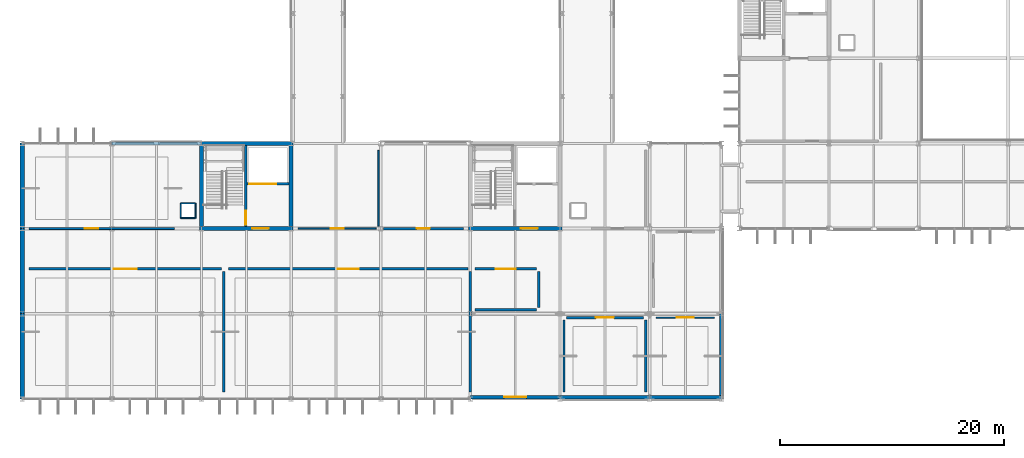
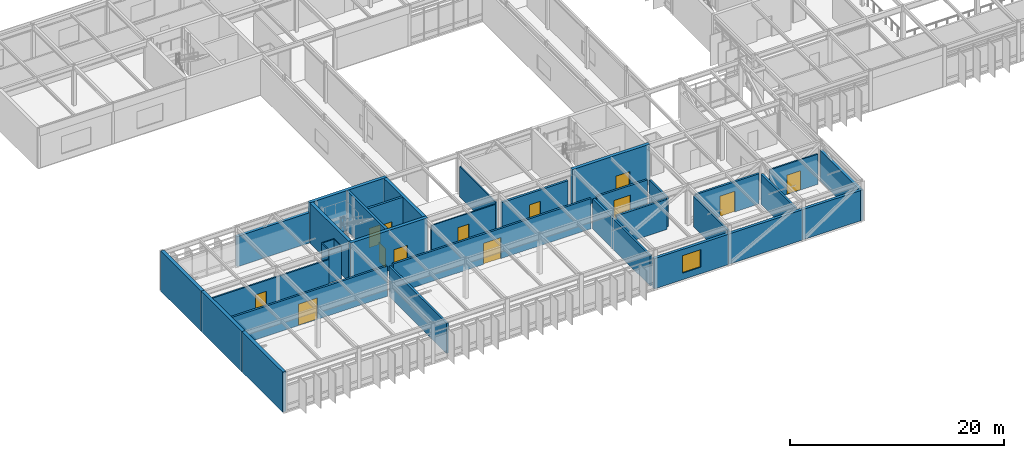
# One storey, part 80 of 104: 34 walls, 13 doors, 1 window, 14 openings.
"""IFC4 building model written with IfcOpenShell, lengths in metres."""

from ifc_helpers import new_model, si_unit, direction, frame, frame_2d, origin, place, context, subcontext, project, spatial, rectangle, extrude, material, layer, layer_set, type_object, element, fill, save


model = new_model("IFC4")

# Units and contexts
model_context = context("Model", 3, precision=1e-05, world=origin(), true_north=direction((0.0, 1.0)))
body_context = subcontext(model_context, "Body", "Model", "MODEL_VIEW")
ifc_project = project(units=[si_unit("LENGTHUNIT", "METRE"), si_unit("AREAUNIT", "SQUARE_METRE"), si_unit("VOLUMEUNIT", "CUBIC_METRE"), si_unit("PLANEANGLEUNIT", "RADIAN"), si_unit("MASSUNIT", "GRAM", prefix="KILO")], contexts=[model_context])

# Site, building, storey
site_placement = place(None, origin())
site = spatial("IfcSite", under=ifc_project, at=site_placement, CompositionType="ELEMENT")
building_placement = place(site_placement, origin())
building = spatial("IfcBuilding", under=site, at=building_placement, Name="Zulena Civic Courthouse", CompositionType="ELEMENT")
storey_placement = place(building_placement, frame((0.0, 0.0, 15.60009765625)))
storey = spatial("IfcBuildingStorey", under=building, at=storey_placement, Name="L03", CompositionType="ELEMENT", Elevation=15.60009765625)

# Wall, opening, door
ifc_material_1 = material(Name="Concrete C40/50", Category="concrete")
ifc_layer_1 = layer(ifc_material_1, 0.25)
ifc_layer_set_1 = layer_set([ifc_layer_1], Name="Concrete C40/50")
wall_type_1 = type_object("IfcWallType", Name="CoreShearWall_RC250", PredefinedType="SHEAR", material=ifc_layer_set_1)
wall_1_placement = place(storey_placement, frame((23.949951171875, 15.375, 0.0), z_axis=(0.0, 0.0, 1.0), x_axis=(0.0, 1.0, 0.0)))
wall_1 = element("IfcWall", 1, at=wall_1_placement, inside=storey, type_object=wall_type_1, Name="cwall:K2A:L03:DIV", PredefinedType="SHEAR", context=body_context, shape_type="SweptSolid", body=[
    extrude(rectangle(XDim=7.25, YDim=0.25, at=frame_2d((3.625, 0.0))), origin(), (0.0, 0.0, 1.0), 4.58984375),
])
opening_1_placement = place(wall_1_placement, frame((0.179931640625, 0.0, 0.0)))
opening_1 = element("IfcOpeningElement", 2, at=opening_1_placement, cuts=wall_1, Name="Opening ID06", PredefinedType="OPENING", context=body_context, shape_type="SweptSolid", body=[
    extrude(rectangle(XDim=1.25, YDim=2.199951171875, at=frame_2d((0.625, 1.10009765625))), frame((0.0, 0.135009765625, 0.0), z_axis=(0.0, -1.0, 0.0), x_axis=(1.0, 0.0, 0.0)), (0.0, 0.0, 1.0), 0.27001953125),
])
ifc_material_2 = material(Name="Fire-rated galvanised steel ASTM A653 Grade 50", Category="steel")
door_type_1 = type_object("IfcDoorType", Name="IntDoor_Stair_1250x2200", OperationType="NOTDEFINED", PredefinedType="DOOR", material=ifc_material_2)
door_1_placement = place(opening_1_placement, origin())
door_1 = element("IfcDoor", 3, at=door_1_placement, inside=storey, type_object=door_type_1, Name="door:stair:K2A:L03", OperationType="SINGLE_SWING_RIGHT", OverallHeight=2.199951171875, OverallWidth=1.25, PredefinedType="DOOR", context=body_context, shape_type="SweptSolid", body=[
    extrude(rectangle(XDim=1.25, YDim=2.199951171875, at=frame_2d((0.625, 1.10009765625))), frame((0.0, 0.02490234375, 0.0), z_axis=(0.0, -1.0, 0.0), x_axis=(1.0, 0.0, 0.0)), (0.0, 0.0, 1.0), 0.050048828125),
])
fill(opening_1, door_1)

# Wall, openings, doors
wall_2_placement = place(storey_placement, frame((24.074951171875, 19.199951171875, 0.0), z_axis=(0.0, 0.0, 1.0), x_axis=(1.0, 0.0, 0.0)))
wall_2 = element("IfcWall", 4, at=wall_2_placement, inside=storey, type_object=wall_type_1, Name="cwall:K2A:L03:SHF", PredefinedType="SHEAR", context=body_context, shape_type="SweptSolid", body=[
    extrude(rectangle(XDim=3.75, YDim=0.25, at=frame_2d((1.875, 0.0))), origin(), (0.0, 0.0, 1.0), 4.58984375),
])
opening_2_placement = place(wall_2_placement, frame((0.179931640625, 0.0, 0.0)))
opening_2 = element("IfcOpeningElement", 5, at=opening_2_placement, cuts=wall_2, Name="Opening LD01", PredefinedType="OPENING", context=body_context, shape_type="SweptSolid", body=[
    extrude(rectangle(XDim=1.199951171875, YDim=2.199951171875, at=frame_2d((0.60009765625, 1.10009765625))), frame((0.0, 0.135009765625, 0.0), z_axis=(0.0, -1.0, 0.0), x_axis=(1.0, 0.0, 0.0)), (0.0, 0.0, 1.0), 0.27001953125),
])
opening_3_placement = place(wall_2_placement, frame((1.550048828125, 0.0, 0.0)))
opening_3 = element("IfcOpeningElement", 6, at=opening_3_placement, cuts=wall_2, Name="Opening LD03", PredefinedType="OPENING", context=body_context, shape_type="SweptSolid", body=[
    extrude(rectangle(XDim=1.050048828125, YDim=2.199951171875, at=frame_2d((0.52490234375, 1.10009765625))), frame((0.0, 0.135009765625, 0.0), z_axis=(0.0, -1.0, 0.0), x_axis=(1.0, 0.0, 0.0)), (0.0, 0.0, 1.0), 0.27001953125),
])
door_type_2 = type_object("IfcDoorType", Name="LiftLandingDoor_FF_1200x2200", OperationType="SLIDING_TO_LEFT", PredefinedType="DOOR", material=ifc_material_2)
door_2_placement = place(opening_2_placement, origin())
door_2 = element("IfcDoor", 7, at=door_2_placement, inside=storey, type_object=door_type_2, Name="door:ld:FL-01:L03", OperationType="SLIDING_TO_LEFT", OverallHeight=2.199951171875, OverallWidth=1.199951171875, PredefinedType="DOOR", context=body_context, shape_type="SweptSolid", body=[
    extrude(rectangle(XDim=1.199951171875, YDim=2.199951171875, at=frame_2d((0.60009765625, 1.10009765625))), frame((0.0, 0.02490234375, 0.0), z_axis=(0.0, -1.0, 0.0), x_axis=(1.0, 0.0, 0.0)), (0.0, 0.0, 1.0), 0.050048828125),
])
fill(opening_2, door_2)
door_type_3 = type_object("IfcDoorType", Name="LiftLandingDoor_Jud_1050x2200", OperationType="SLIDING_TO_RIGHT", PredefinedType="DOOR", material=ifc_material_2)
door_3_placement = place(opening_3_placement, origin())
door_3 = element("IfcDoor", 8, at=door_3_placement, inside=storey, type_object=door_type_3, Name="door:ld:JL-01:L03", OperationType="SLIDING_TO_RIGHT", OverallHeight=2.199951171875, OverallWidth=1.050048828125, PredefinedType="DOOR", context=body_context, shape_type="SweptSolid", body=[
    extrude(rectangle(XDim=1.050048828125, YDim=2.199951171875, at=frame_2d((0.52490234375, 1.10009765625))), frame((0.0, 0.02490234375, 0.0), z_axis=(0.0, -1.0, 0.0), x_axis=(1.0, 0.0, 0.0)), (0.0, 0.0, 1.0), 0.050048828125),
])
fill(opening_3, door_3)

# Wall, opening, door
ifc_layer_2 = layer(ifc_material_1, 0.35009765625)
ifc_layer_set_2 = layer_set([ifc_layer_2], Name="Concrete C40/50")
wall_type_2 = type_object("IfcWallType", Name="CoreShearWall_RC350", PredefinedType="SHEAR", material=ifc_layer_set_2)
wall_3_placement = place(storey_placement, frame((19.824951171875, 15.199951171875, 0.0), z_axis=(0.0, 0.0, 1.0), x_axis=(1.0, 0.0, 0.0)))
wall_3 = element("IfcWall", 9, at=wall_3_placement, inside=storey, type_object=wall_type_2, Name="cwall:K2A:L03:S", PredefinedType="SHEAR", context=body_context, shape_type="SweptSolid", body=[
    extrude(rectangle(XDim=8.35009765625, YDim=0.35009765625, at=frame_2d((4.175048828125, 0.0))), origin(), (0.0, 0.0, 1.0), 4.58984375),
])
opening_4_placement = place(wall_3_placement, frame((4.68505859375, 0.0, 0.0)))
opening_4 = element("IfcOpeningElement", 10, at=opening_4_placement, cuts=wall_3, Name="Opening ID05", PredefinedType="OPENING", context=body_context, shape_type="SweptSolid", body=[
    extrude(rectangle(XDim=1.5, YDim=2.199951171875, at=frame_2d((0.75, 1.10009765625))), frame((0.0, 0.18505859375, 0.0), z_axis=(0.0, -1.0, 0.0), x_axis=(1.0, 0.0, 0.0)), (0.0, 0.0, 1.0), 0.3701171875),
])
door_type_4 = type_object("IfcDoorType", Name="IntDoor_FFLobby_1500x2200", OperationType="DOUBLE_DOOR_SINGLE_SWING", PredefinedType="DOOR", material=ifc_material_2)
door_4_placement = place(opening_4_placement, origin())
door_4 = element("IfcDoor", 11, at=door_4_placement, inside=storey, type_object=door_type_4, Name="door:corelob:K2A:L03", OperationType="DOUBLE_DOOR_SINGLE_SWING", OverallHeight=2.199951171875, OverallWidth=1.5, PredefinedType="DOOR", context=body_context, shape_type="SweptSolid", body=[
    extrude(rectangle(XDim=1.5, YDim=2.199951171875, at=frame_2d((0.75, 1.10009765625))), frame((0.0, 0.02490234375, 0.0), z_axis=(0.0, -1.0, 0.0), x_axis=(1.0, 0.0, 0.0)), (0.0, 0.0, 1.0), 0.050048828125),
])
fill(opening_4, door_4)

# Walls
wall_4_placement = place(storey_placement, frame((19.824951171875, 22.800048828125, 0.0), z_axis=(0.0, 0.0, 1.0), x_axis=(1.0, 0.0, 0.0)))
element("IfcWall", 12, at=wall_4_placement, inside=storey, type_object=wall_type_2, Name="cwall:K2A:L03:N", PredefinedType="SHEAR", context=body_context, shape_type="SweptSolid", body=[
    extrude(rectangle(XDim=8.35009765625, YDim=0.35009765625, at=frame_2d((4.175048828125, 0.0))), origin(), (0.0, 0.0, 1.0), 4.58984375),
])
for number, where, z_axis, x_axis, name in (
    (13, (20.0, 15.375, 0.0), (0.0, 0.0, 1.0), (0.0, 1.0, 0.0), "cwall:K2A:L03:W"),
    (14, (28.0, 15.375, 0.0), (0.0, 0.0, 1.0), (0.0, 1.0, 0.0), "cwall:K2A:L03:E"),
):
    element("IfcWall", number, at=place(storey_placement, frame(where, z_axis=z_axis, x_axis=x_axis)), inside=storey, type_object=wall_type_2, Name=name, PredefinedType="SHEAR", context=body_context, shape_type="SweptSolid", body=[
        extrude(rectangle(XDim=7.25, YDim=0.35009765625, at=frame_2d((3.625, 0.0))), origin(), (0.0, 0.0, 1.0), 4.58984375),
    ])

# Wall, opening, door
wall_5_placement = place(storey_placement, frame((43.824951171875, 15.199951171875, 0.0), z_axis=(0.0, 0.0, 1.0), x_axis=(1.0, 0.0, 0.0)))
wall_5 = element("IfcWall", 15, at=wall_5_placement, inside=storey, type_object=wall_type_2, Name="cwall:K2B:L03:S", PredefinedType="SHEAR", context=body_context, shape_type="SweptSolid", body=[
    extrude(rectangle(XDim=8.35009765625, YDim=0.35009765625, at=frame_2d((4.175048828125, 0.0))), origin(), (0.0, 0.0, 1.0), 4.58984375),
])
opening_5_placement = place(wall_5_placement, frame((4.68505859375, 0.0, 0.0)))
opening_5 = element("IfcOpeningElement", 16, at=opening_5_placement, cuts=wall_5, Name="Opening ID05", PredefinedType="OPENING", context=body_context, shape_type="SweptSolid", body=[
    extrude(rectangle(XDim=1.5, YDim=2.199951171875, at=frame_2d((0.75, 1.10009765625))), frame((0.0, 0.18505859375, 0.0), z_axis=(0.0, -1.0, 0.0), x_axis=(1.0, 0.0, 0.0)), (0.0, 0.0, 1.0), 0.3701171875),
])
door_5_placement = place(opening_5_placement, origin())
door_5 = element("IfcDoor", 17, at=door_5_placement, inside=storey, type_object=door_type_4, Name="door:corelob:K2B:L03", OperationType="DOUBLE_DOOR_SINGLE_SWING", OverallHeight=2.199951171875, OverallWidth=1.5, PredefinedType="DOOR", context=body_context, shape_type="SweptSolid", body=[
    extrude(rectangle(XDim=1.5, YDim=2.199951171875, at=frame_2d((0.75, 1.10009765625))), frame((0.0, 0.02490234375, 0.0), z_axis=(0.0, -1.0, 0.0), x_axis=(1.0, 0.0, 0.0)), (0.0, 0.0, 1.0), 0.050048828125),
])
fill(opening_5, door_5)

# Walls
ifc_layer_3 = layer(ifc_material_1, 0.360107421875)
ifc_layer_set_3 = layer_set([ifc_layer_3], Name="Concrete C40/50")
wall_type_3 = type_object("IfcWallType", Name="ExtWall_PartyWall_360", PredefinedType="STANDARD", material=ifc_layer_set_3)
wall_6_placement = place(storey_placement, frame((4.0, -0.02001953125, 0.0), z_axis=(0.0, 0.0, 1.0), x_axis=(0.0, 1.0, 0.0)))
element("IfcWall", 18, at=wall_6_placement, inside=storey, type_object=wall_type_3, Name="ewall:V2:L03:0:0", PredefinedType="STANDARD", context=body_context, shape_type="SweptSolid", body=[
    extrude(rectangle(XDim=7.64013671875, YDim=0.360107421875, at=frame_2d((3.820068359375, 0.0))), origin(), (0.0, 0.0, 1.0), 4.599853515625),
])
wall_7_placement = place(storey_placement, frame((4.0, 7.580078125, 0.0), z_axis=(0.0, 0.0, 1.0), x_axis=(0.0, 1.0, 0.0)))
element("IfcWall", 19, at=wall_7_placement, inside=storey, type_object=wall_type_3, Name="ewall:V2:L03:0:1", PredefinedType="STANDARD", context=body_context, shape_type="SweptSolid", body=[
    extrude(rectangle(XDim=7.639892578125, YDim=0.360107421875, at=frame_2d((3.81982421875, 0.0))), origin(), (0.0, 0.0, 1.0), 4.599853515625),
])
wall_8_placement = place(storey_placement, frame((4.0, 15.179931640625, 0.0), z_axis=(0.0, 0.0, 1.0), x_axis=(0.0, 1.0, 0.0)))
element("IfcWall", 20, at=wall_8_placement, inside=storey, type_object=wall_type_3, Name="ewall:V2:L03:0:2", PredefinedType="STANDARD", context=body_context, shape_type="SweptSolid", body=[
    extrude(rectangle(XDim=7.64013671875, YDim=0.360107421875, at=frame_2d((3.820068359375, 0.0))), origin(), (0.0, 0.0, 1.0), 4.599853515625),
])
ifc_material_3 = material(Name="White architectural precast concrete C40/50", Category="concrete")
ifc_layer_4 = layer(ifc_material_3, 0.300048828125)
ifc_layer_set_4 = layer_set([ifc_layer_4], Name="White architectural precast concrete C40/50")
wall_type_4 = type_object("IfcWallType", Name="ExtWall_WhitePrecast_300", PredefinedType="STANDARD", material=ifc_layer_set_4)
wall_9_placement = place(storey_placement, frame((11.97998046875, 22.800048828125, 0.0), z_axis=(0.0, 0.0, 1.0), x_axis=(1.0, 0.0, 0.0)))
element("IfcWall", 21, at=wall_9_placement, inside=storey, type_object=wall_type_4, Name="ewall:V2:L03:1:1", PredefinedType="STANDARD", context=body_context, shape_type="SweptSolid", body=[
    extrude(rectangle(XDim=8.0400390625, YDim=0.300048828125, at=frame_2d((4.02001953125, 0.0))), origin(), (0.0, 0.0, 1.0), 3.4599609375),
])
wall_10_placement = place(storey_placement, frame((66.39990234375, 7.6201171875, 0.0), z_axis=(0.0, 0.0, 1.0), x_axis=(0.0, -1.0, 0.0)))
element("IfcWall", 22, at=wall_10_placement, inside=storey, type_object=wall_type_4, Name="ewall:V2:L03:2:2", PredefinedType="STANDARD", context=body_context, shape_type="SweptSolid", body=[
    extrude(rectangle(XDim=7.64013671875, YDim=0.300048828125, at=frame_2d((3.820068359375, 0.0))), origin(), (0.0, 0.0, 1.0), 3.4599609375),
])
wall_11_placement = place(storey_placement, frame((66.419921875, 0.159912109375, 0.0), z_axis=(0.0, 0.0, 1.0), x_axis=(-1.0, 0.0, 0.0)))
element("IfcWall", 23, at=wall_11_placement, inside=storey, type_object=wall_type_4, Name="ewall:V2:L03:3:0", PredefinedType="STANDARD", context=body_context, shape_type="SweptSolid", body=[
    extrude(rectangle(XDim=6.43994140625, YDim=0.300048828125, at=frame_2d((3.219970703125, 0.0))), origin(), (0.0, 0.0, 1.0), 3.4599609375),
])
wall_12_placement = place(storey_placement, frame((60.02001953125, 0.159912109375, 0.0), z_axis=(0.0, 0.0, 1.0), x_axis=(-1.0, 0.0, 0.0)))
element("IfcWall", 24, at=wall_12_placement, inside=storey, type_object=wall_type_4, Name="ewall:V2:L03:3:1", PredefinedType="STANDARD", context=body_context, shape_type="SweptSolid", body=[
    extrude(rectangle(XDim=8.0400390625, YDim=0.300048828125, at=frame_2d((4.02001953125, 0.0))), origin(), (0.0, 0.0, 1.0), 3.4599609375),
])

# Wall, opening, window
wall_13_placement = place(storey_placement, frame((52.02001953125, 0.159912109375, 0.0), z_axis=(0.0, 0.0, 1.0), x_axis=(-1.0, 0.0, 0.0)))
wall_13 = element("IfcWall", 25, at=wall_13_placement, inside=storey, type_object=wall_type_4, Name="ewall:V2:L03:3:2", PredefinedType="STANDARD", context=body_context, shape_type="SweptSolid", body=[
    extrude(rectangle(XDim=8.0400390625, YDim=0.300048828125, at=frame_2d((4.02001953125, 0.0))), origin(), (0.0, 0.0, 1.0), 3.4599609375),
])
opening_6_placement = place(wall_13_placement, frame((3.02001953125, 0.0, 0.75)))
opening_6 = element("IfcOpeningElement", 26, at=opening_6_placement, cuts=wall_13, Name="Opening WN04", PredefinedType="OPENING", context=body_context, shape_type="SweptSolid", body=[
    extrude(rectangle(XDim=2.0, YDim=2.0, at=frame_2d((1.0, 1.0))), frame((0.0, 0.159912109375, 0.0), z_axis=(0.0, -1.0, 0.0), x_axis=(1.0, 0.0, 0.0)), (0.0, 0.0, 1.0), 0.320068359375),
])
ifc_material_4 = material(Name="Double-silver low-E laminated solar-control glass", Category="glass")
window_type = type_object("IfcWindowType", Name="Win_2000x2000", PartitioningType="DOUBLE_PANEL_VERTICAL", PredefinedType="WINDOW", material=ifc_material_4)
window_placement = place(opening_6_placement, origin())
window = element("IfcWindow", 27, at=window_placement, inside=storey, type_object=window_type, Name="win:V2:L03:3:2", OverallHeight=2.0, OverallWidth=2.0, PartitioningType="SINGLE_PANEL", PredefinedType="WINDOW", context=body_context, shape_type="SweptSolid", body=[
    extrude(rectangle(XDim=2.0, YDim=2.0, at=frame_2d((1.0, 1.0))), frame((0.0, 0.030029296875, 0.0), z_axis=(0.0, -1.0, 0.0), x_axis=(1.0, 0.0, 0.0)), (0.0, 0.0, 1.0), 0.06005859375),
])
fill(opening_6, window)

# Wall, opening, door
ifc_material_5 = material(Name="Acoustic fire-rated gypsum board assembly", Category="masonry")
ifc_layer_5 = layer(ifc_material_5, 0.215087890625)
ifc_layer_set_5 = layer_set([ifc_layer_5], Name="Acoustic fire-rated gypsum board assembly")
wall_type_5 = type_object("IfcWallType", Name="PartWall_CourtAcoustic_215", PredefinedType="PARTITIONING", material=ifc_layer_set_5)
wall_14_placement = place(storey_placement, frame((4.6201171875, 11.60009765625, 0.0), z_axis=(0.0, 0.0, 1.0), x_axis=(1.0, 0.0, 0.0)))
wall_14 = element("IfcWall", 28, at=wall_14_placement, inside=storey, type_object=wall_type_5, Name="pwall:L03:311:0", PredefinedType="PARTITIONING", context=body_context, shape_type="SweptSolid", body=[
    extrude(rectangle(XDim=17.159912109375, YDim=0.215087890625, at=frame_2d((8.580078125, 0.0))), origin(), (0.0, 0.0, 1.0), 3.449951171875),
])
opening_7_placement = place(wall_14_placement, frame((7.554931640625, 0.0, 0.0)))
opening_7 = element("IfcOpeningElement", 29, at=opening_7_placement, cuts=wall_14, Name="Opening ID01", PredefinedType="OPENING", context=body_context, shape_type="SweptSolid", body=[
    extrude(rectangle(XDim=2.050048828125, YDim=2.449951171875, at=frame_2d((1.02490234375, 1.22509765625))), frame((0.0, 0.117431640625, 0.0), z_axis=(0.0, -1.0, 0.0), x_axis=(1.0, 0.0, 0.0)), (0.0, 0.0, 1.0), 0.235107421875),
])
ifc_material_6 = material(Name="Solid-core acoustic hardwood timber", Category="wood")
door_type_5 = type_object("IfcDoorType", Name="IntDoor_Ceremonial_2050x2450", OperationType="DOUBLE_DOOR_SINGLE_SWING", PredefinedType="DOOR", material=ifc_material_6)
door_6_placement = place(opening_7_placement, origin())
door_6 = element("IfcDoor", 30, at=door_6_placement, inside=storey, type_object=door_type_5, Name="door:rm:L03:311", OperationType="DOUBLE_DOOR_SINGLE_SWING", OverallHeight=2.449951171875, OverallWidth=2.050048828125, PredefinedType="DOOR", context=body_context, shape_type="SweptSolid", body=[
    extrude(rectangle(XDim=2.050048828125, YDim=2.449951171875, at=frame_2d((1.02490234375, 1.22509765625))), frame((0.0, 0.02490234375, 0.0), z_axis=(0.0, -1.0, 0.0), x_axis=(1.0, 0.0, 0.0)), (0.0, 0.0, 1.0), 0.050048828125),
])
fill(opening_7, door_6)

# Wall
wall_15_placement = place(storey_placement, frame((22.0, 0.6201171875, 0.0), z_axis=(0.0, 0.0, 1.0), x_axis=(0.0, 1.0, 0.0)))
element("IfcWall", 31, at=wall_15_placement, inside=storey, type_object=wall_type_5, Name="pwall:L03:311:1", PredefinedType="PARTITIONING", context=body_context, shape_type="SweptSolid", body=[
    extrude(rectangle(XDim=10.759765625, YDim=0.215087890625, at=frame_2d((5.3798828125, 0.0))), origin(), (0.0, 0.0, 1.0), 3.449951171875),
])

# Wall, opening, door
wall_16_placement = place(storey_placement, frame((22.419921875, 11.60009765625, 0.0), z_axis=(0.0, 0.0, 1.0), x_axis=(1.0, 0.0, 0.0)))
wall_16 = element("IfcWall", 32, at=wall_16_placement, inside=storey, type_object=wall_type_5, Name="pwall:L03:312:0", PredefinedType="PARTITIONING", context=body_context, shape_type="SweptSolid", body=[
    extrude(rectangle(XDim=21.360107421875, YDim=0.215087890625, at=frame_2d((10.68017578125, 0.0))), origin(), (0.0, 0.0, 1.0), 3.449951171875),
])
opening_8_placement = place(wall_16_placement, frame((9.72998046875, 0.0, 0.0)))
opening_8 = element("IfcOpeningElement", 33, at=opening_8_placement, cuts=wall_16, Name="Opening ID02", PredefinedType="OPENING", context=body_context, shape_type="SweptSolid", body=[
    extrude(rectangle(XDim=1.89990234375, YDim=2.39990234375, at=frame_2d((0.949951171875, 1.199951171875))), frame((0.0, 0.117431640625, 0.0), z_axis=(0.0, -1.0, 0.0), x_axis=(1.0, 0.0, 0.0)), (0.0, 0.0, 1.0), 0.235107421875),
])
door_type_6 = type_object("IfcDoorType", Name="IntDoor_CourtPublic_1900x2400", OperationType="DOUBLE_DOOR_SINGLE_SWING", PredefinedType="DOOR", material=ifc_material_6)
door_7_placement = place(opening_8_placement, origin())
door_7 = element("IfcDoor", 34, at=door_7_placement, inside=storey, type_object=door_type_6, Name="door:rm:L03:312", OperationType="DOUBLE_DOOR_SINGLE_SWING", OverallHeight=2.39990234375, OverallWidth=1.89990234375, PredefinedType="DOOR", context=body_context, shape_type="SweptSolid", body=[
    extrude(rectangle(XDim=1.89990234375, YDim=2.39990234375, at=frame_2d((0.949951171875, 1.199951171875))), frame((0.0, 0.02490234375, 0.0), z_axis=(0.0, -1.0, 0.0), x_axis=(1.0, 0.0, 0.0)), (0.0, 0.0, 1.0), 0.050048828125),
])
fill(opening_8, door_7)

# Wall
wall_17_placement = place(storey_placement, frame((44.0, 0.6201171875, 0.0), z_axis=(0.0, 0.0, 1.0), x_axis=(0.0, 1.0, 0.0)))
element("IfcWall", 35, at=wall_17_placement, inside=storey, type_object=wall_type_5, Name="pwall:L03:312:1", PredefinedType="PARTITIONING", context=body_context, shape_type="SweptSolid", body=[
    extrude(rectangle(XDim=10.759765625, YDim=0.215087890625, at=frame_2d((5.3798828125, 0.0))), origin(), (0.0, 0.0, 1.0), 3.449951171875),
])

# Wall, opening, door
wall_18_placement = place(storey_placement, frame((44.419921875, 11.60009765625, 0.0), z_axis=(0.0, 0.0, 1.0), x_axis=(1.0, 0.0, 0.0)))
wall_18 = element("IfcWall", 36, at=wall_18_placement, inside=storey, type_object=wall_type_5, Name="pwall:L03:313:0", PredefinedType="PARTITIONING", context=body_context, shape_type="SweptSolid", body=[
    extrude(rectangle(XDim=5.4599609375, YDim=0.215087890625, at=frame_2d((2.72998046875, 0.0))), origin(), (0.0, 0.0, 1.0), 3.449951171875),
])
opening_9_placement = place(wall_18_placement, frame((1.85498046875, 0.0, 0.0)))
opening_9 = element("IfcOpeningElement", 37, at=opening_9_placement, cuts=wall_18, Name="Opening ID03", PredefinedType="OPENING", context=body_context, shape_type="SweptSolid", body=[
    extrude(rectangle(XDim=1.75, YDim=2.35009765625, at=frame_2d((0.875, 1.175048828125))), frame((0.0, 0.117431640625, 0.0), z_axis=(0.0, -1.0, 0.0), x_axis=(1.0, 0.0, 0.0)), (0.0, 0.0, 1.0), 0.235107421875),
])
door_type_7 = type_object("IfcDoorType", Name="IntDoor_CourtPublic_1750x2350", OperationType="DOUBLE_DOOR_SINGLE_SWING", PredefinedType="DOOR", material=ifc_material_6)
door_8_placement = place(opening_9_placement, origin())
door_8 = element("IfcDoor", 38, at=door_8_placement, inside=storey, type_object=door_type_7, Name="door:rm:L03:313", OperationType="DOUBLE_DOOR_SINGLE_SWING", OverallHeight=2.35009765625, OverallWidth=1.75, PredefinedType="DOOR", context=body_context, shape_type="SweptSolid", body=[
    extrude(rectangle(XDim=1.75, YDim=2.35009765625, at=frame_2d((0.875, 1.175048828125))), frame((0.0, 0.02490234375, 0.0), z_axis=(0.0, -1.0, 0.0), x_axis=(1.0, 0.0, 0.0)), (0.0, 0.0, 1.0), 0.050048828125),
])
fill(opening_9, door_8)

# Walls
wall_19_placement = place(storey_placement, frame((50.10009765625, 8.169921875, 0.0), z_axis=(0.0, 0.0, 1.0), x_axis=(0.0, 1.0, 0.0)))
element("IfcWall", 39, at=wall_19_placement, inside=storey, type_object=wall_type_5, Name="pwall:L03:313:1", PredefinedType="PARTITIONING", context=body_context, shape_type="SweptSolid", body=[
    extrude(rectangle(XDim=3.2099609375, YDim=0.215087890625, at=frame_2d((1.60498046875, 0.0))), origin(), (0.0, 0.0, 1.0), 3.449951171875),
])
wall_20_placement = place(storey_placement, frame((44.419921875, 7.949951171875, 0.0), z_axis=(0.0, 0.0, 1.0), x_axis=(1.0, 0.0, 0.0)))
element("IfcWall", 40, at=wall_20_placement, inside=storey, type_object=wall_type_5, Name="pwall:L03:313:2", PredefinedType="PARTITIONING", context=body_context, shape_type="SweptSolid", body=[
    extrude(rectangle(XDim=5.4599609375, YDim=0.215087890625, at=frame_2d((2.72998046875, 0.0))), origin(), (0.0, 0.0, 1.0), 3.449951171875),
])

# Wall, opening, door
wall_21_placement = place(storey_placement, frame((52.570068359375, 7.25, 0.0), z_axis=(0.0, 0.0, 1.0), x_axis=(1.0, 0.0, 0.0)))
wall_21 = element("IfcWall", 41, at=wall_21_placement, inside=storey, type_object=wall_type_5, Name="pwall:L03:314:0", PredefinedType="PARTITIONING", context=body_context, shape_type="SweptSolid", body=[
    extrude(rectangle(XDim=6.85986328125, YDim=0.215087890625, at=frame_2d((3.429931640625, 0.0))), origin(), (0.0, 0.0, 1.0), 3.449951171875),
])
opening_10_placement = place(wall_21_placement, frame((2.6298828125, 0.0, 0.0)))
opening_10 = element("IfcOpeningElement", 42, at=opening_10_placement, cuts=wall_21, Name="Opening ID04", PredefinedType="OPENING", context=body_context, shape_type="SweptSolid", body=[
    extrude(rectangle(XDim=1.60009765625, YDim=2.35009765625, at=frame_2d((0.800048828125, 1.175048828125))), frame((0.0, 0.117431640625, 0.0), z_axis=(0.0, -1.0, 0.0), x_axis=(1.0, 0.0, 0.0)), (0.0, 0.0, 1.0), 0.235107421875),
])
door_type_8 = type_object("IfcDoorType", Name="IntDoor_CourtPublic_1600x2350", OperationType="DOUBLE_DOOR_SINGLE_SWING", PredefinedType="DOOR", material=ifc_material_6)
door_9_placement = place(opening_10_placement, origin())
door_9 = element("IfcDoor", 43, at=door_9_placement, inside=storey, type_object=door_type_8, Name="door:rm:L03:314", OperationType="DOUBLE_DOOR_SINGLE_SWING", OverallHeight=2.35009765625, OverallWidth=1.60009765625, PredefinedType="DOOR", context=body_context, shape_type="SweptSolid", body=[
    extrude(rectangle(XDim=1.60009765625, YDim=2.35009765625, at=frame_2d((0.800048828125, 1.175048828125))), frame((0.0, 0.02490234375, 0.0), z_axis=(0.0, -1.0, 0.0), x_axis=(1.0, 0.0, 0.0)), (0.0, 0.0, 1.0), 0.050048828125),
])
fill(opening_10, door_9)

# Walls
for number, where, z_axis, x_axis, name in (
    (44, (59.64990234375, 0.6201171875, 0.0), (0.0, 0.0, 1.0), (0.0, 1.0, 0.0), "pwall:L03:314:1"),
    (45, (52.35009765625, 0.6201171875, 0.0), (0.0, 0.0, 1.0), (0.0, 1.0, 0.0), "pwall:L03:314:2"),
):
    element("IfcWall", number, at=place(storey_placement, frame(where, z_axis=z_axis, x_axis=x_axis)), inside=storey, type_object=wall_type_5, Name=name, PredefinedType="PARTITIONING", context=body_context, shape_type="SweptSolid", body=[
        extrude(rectangle(XDim=6.409912109375, YDim=0.215087890625, at=frame_2d((3.205078125, 0.0))), origin(), (0.0, 0.0, 1.0), 3.449951171875),
    ])

# Wall, opening, door
ifc_material_7 = material(Name="Insulated blockwork masonry ASTM C90", Category="masonry")
ifc_layer_6 = layer(ifc_material_7, 0.239990234375)
ifc_layer_set_6 = layer_set([ifc_layer_6], Name="Insulated blockwork masonry ASTM C90")
wall_type_6 = type_object("IfcWallType", Name="PartWall_Custody_240", PredefinedType="PARTITIONING", material=ifc_layer_set_6)
wall_22_placement = place(storey_placement, frame((36.219970703125, 15.199951171875, 0.0), z_axis=(0.0, 0.0, 1.0), x_axis=(1.0, 0.0, 0.0)))
wall_22 = element("IfcWall", 46, at=wall_22_placement, inside=storey, type_object=wall_type_6, Name="pwall:L03:319:0", PredefinedType="PARTITIONING", context=body_context, shape_type="SweptSolid", body=[
    extrude(rectangle(XDim=7.159912109375, YDim=0.239990234375, at=frame_2d((3.580078125, 0.0))), origin(), (0.0, 0.0, 1.0), 3.449951171875),
])
opening_11_placement = place(wall_22_placement, frame((3.0048828125, 0.0, 0.0)))
opening_11 = element("IfcOpeningElement", 47, at=opening_11_placement, cuts=wall_22, Name="Opening ID09", PredefinedType="OPENING", context=body_context, shape_type="SweptSolid", body=[
    extrude(rectangle(XDim=1.14990234375, YDim=2.14990234375, at=frame_2d((0.574951171875, 1.074951171875))), frame((0.0, 0.1298828125, 0.0), z_axis=(0.0, -1.0, 0.0), x_axis=(1.0, 0.0, 0.0)), (0.0, 0.0, 1.0), 0.260009765625),
])
door_type_9 = type_object("IfcDoorType", Name="IntDoor_Custody_1150x2150", OperationType="NOTDEFINED", PredefinedType="DOOR", material=ifc_material_2)
door_10_placement = place(opening_11_placement, origin())
door_10 = element("IfcDoor", 48, at=door_10_placement, inside=storey, type_object=door_type_9, Name="door:rm:L03:319", OperationType="SINGLE_SWING_LEFT", OverallHeight=2.14990234375, OverallWidth=1.14990234375, PredefinedType="DOOR", context=body_context, shape_type="SweptSolid", body=[
    extrude(rectangle(XDim=1.14990234375, YDim=2.14990234375, at=frame_2d((0.574951171875, 1.074951171875))), frame((0.0, 0.02490234375, 0.0), z_axis=(0.0, -1.0, 0.0), x_axis=(1.0, 0.0, 0.0)), (0.0, 0.0, 1.0), 0.050048828125),
])
fill(opening_11, door_10)

ifc_layer_7 = layer(ifc_material_5, 0.162109375)
ifc_layer_set_7 = layer_set([ifc_layer_7], Name="Acoustic fire-rated gypsum board assembly")
wall_type_7 = type_object("IfcWallType", Name="PartWall_Jury_162", PredefinedType="PARTITIONING", material=ifc_layer_set_7)
wall_23_placement = place(storey_placement, frame((60.570068359375, 7.25, 0.0), z_axis=(0.0, 0.0, 1.0), x_axis=(1.0, 0.0, 0.0)))
wall_23 = element("IfcWall", 49, at=wall_23_placement, inside=storey, type_object=wall_type_7, Name="pwall:L03:315:0", PredefinedType="PARTITIONING", context=body_context, shape_type="SweptSolid", body=[
    extrude(rectangle(XDim=5.2099609375, YDim=0.162109375, at=frame_2d((2.60498046875, 0.0))), origin(), (0.0, 0.0, 1.0), 3.449951171875),
])
opening_12_placement = place(wall_23_placement, frame((1.85498046875, 0.0, 0.0)))
opening_12 = element("IfcOpeningElement", 50, at=opening_12_placement, cuts=wall_23, Name="Opening ID05", PredefinedType="OPENING", context=body_context, shape_type="SweptSolid", body=[
    extrude(rectangle(XDim=1.5, YDim=2.199951171875, at=frame_2d((0.75, 1.10009765625))), frame((0.0, 0.091064453125, 0.0), z_axis=(0.0, -1.0, 0.0), x_axis=(1.0, 0.0, 0.0)), (0.0, 0.0, 1.0), 0.18212890625),
])
door_11_placement = place(opening_12_placement, origin())
door_11 = element("IfcDoor", 51, at=door_11_placement, inside=storey, type_object=door_type_4, Name="door:rm:L03:315", OperationType="DOUBLE_DOOR_SINGLE_SWING", OverallHeight=2.199951171875, OverallWidth=1.5, PredefinedType="DOOR", context=body_context, shape_type="SweptSolid", body=[
    extrude(rectangle(XDim=1.5, YDim=2.199951171875, at=frame_2d((0.75, 1.10009765625))), frame((0.0, 0.02490234375, 0.0), z_axis=(0.0, -1.0, 0.0), x_axis=(1.0, 0.0, 0.0)), (0.0, 0.0, 1.0), 0.050048828125),
])
fill(opening_12, door_11)

wall_24_placement = place(storey_placement, frame((4.6201171875, 15.199951171875, 0.0), z_axis=(0.0, 0.0, 1.0), x_axis=(1.0, 0.0, 0.0)))
wall_24 = element("IfcWall", 52, at=wall_24_placement, inside=storey, type_object=wall_type_7, Name="pwall:L03:317:0", PredefinedType="PARTITIONING", context=body_context, shape_type="SweptSolid", body=[
    extrude(rectangle(XDim=12.9599609375, YDim=0.162109375, at=frame_2d((6.47998046875, 0.0))), origin(), (0.0, 0.0, 1.0), 3.449951171875),
])
opening_13_placement = place(wall_24_placement, frame((4.97998046875, 0.0, 0.0)))
opening_13 = element("IfcOpeningElement", 53, at=opening_13_placement, cuts=wall_24, Name="Opening ID07", PredefinedType="OPENING", context=body_context, shape_type="SweptSolid", body=[
    extrude(rectangle(XDim=1.199951171875, YDim=2.199951171875, at=frame_2d((0.60009765625, 1.10009765625))), frame((0.0, 0.091064453125, 0.0), z_axis=(0.0, -1.0, 0.0), x_axis=(1.0, 0.0, 0.0)), (0.0, 0.0, 1.0), 0.18212890625),
])
door_type_10 = type_object("IfcDoorType", Name="IntDoor_Stair_1200x2200", OperationType="NOTDEFINED", PredefinedType="DOOR", material=ifc_material_2)
door_12_placement = place(opening_13_placement, origin())
door_12 = element("IfcDoor", 54, at=door_12_placement, inside=storey, type_object=door_type_10, Name="door:rm:L03:317", OperationType="SINGLE_SWING_LEFT", OverallHeight=2.199951171875, OverallWidth=1.199951171875, PredefinedType="DOOR", context=body_context, shape_type="SweptSolid", body=[
    extrude(rectangle(XDim=1.199951171875, YDim=2.199951171875, at=frame_2d((0.60009765625, 1.10009765625))), frame((0.0, 0.02490234375, 0.0), z_axis=(0.0, -1.0, 0.0), x_axis=(1.0, 0.0, 0.0)), (0.0, 0.0, 1.0), 0.050048828125),
])
fill(opening_13, door_12)

# Walls
ifc_layer_8 = layer(ifc_material_7, 0.114990234375)
ifc_layer_set_8 = layer_set([ifc_layer_8], Name="Insulated blockwork masonry ASTM C90")
wall_type_8 = type_object("IfcWallType", Name="PartWall_Riser_115", PredefinedType="PARTITIONING", material=ifc_layer_set_8)
for number, where, z_axis, x_axis, name in (
    (55, (18.139892578125, 16.139892578125, 0.0), (0.0, 0.0, 1.0), (1.0, 0.0, 0.0), "riser:RS-V2W:L03:0"),
    (56, (19.4599609375, 16.139892578125, 0.0), (0.0, 0.0, 1.0), (0.0, 1.0, 0.0), "riser:RS-V2W:L03:1"),
    (57, (19.4599609375, 17.4599609375, 0.0), (0.0, 0.0, 1.0), (-1.0, 0.0, 0.0), "riser:RS-V2W:L03:2"),
    (58, (18.139892578125, 17.4599609375, 0.0), (0.0, 0.0, 1.0), (0.0, -1.0, 0.0), "riser:RS-V2W:L03:3"),
):
    element("IfcWall", number, at=place(storey_placement, frame(where, z_axis=z_axis, x_axis=x_axis)), inside=storey, type_object=wall_type_8, Name=name, PredefinedType="PARTITIONING", context=body_context, shape_type="SweptSolid", body=[
        extrude(rectangle(XDim=1.320068359375, YDim=0.114990234375, at=frame_2d((0.66015625, 0.0))), origin(), (0.0, 0.0, 1.0), 3.75),
    ])

# Wall, opening, door
ifc_layer_9 = layer(ifc_material_7, 0.1279296875)
ifc_layer_set_9 = layer_set([ifc_layer_9], Name="Insulated blockwork masonry ASTM C90")
wall_type_9 = type_object("IfcWallType", Name="PartWall_WetRoom_128", PredefinedType="PARTITIONING", material=ifc_layer_set_9)
wall_25_placement = place(storey_placement, frame((28.6201171875, 15.199951171875, 0.0), z_axis=(0.0, 0.0, 1.0), x_axis=(1.0, 0.0, 0.0)))
wall_25 = element("IfcWall", 59, at=wall_25_placement, inside=storey, type_object=wall_type_9, Name="pwall:L03:318:0", PredefinedType="PARTITIONING", context=body_context, shape_type="SweptSolid", body=[
    extrude(rectangle(XDim=6.9599609375, YDim=0.1279296875, at=frame_2d((3.47998046875, 0.0))), origin(), (0.0, 0.0, 1.0), 3.449951171875),
])
opening_14_placement = place(wall_25_placement, frame((2.905029296875, 0.0, 0.0)))
opening_14 = element("IfcOpeningElement", 60, at=opening_14_placement, cuts=wall_25, Name="Opening ID08", PredefinedType="OPENING", context=body_context, shape_type="SweptSolid", body=[
    extrude(rectangle(XDim=1.14990234375, YDim=2.199951171875, at=frame_2d((0.574951171875, 1.10009765625))), frame((0.0, 0.073974609375, 0.0), z_axis=(0.0, -1.0, 0.0), x_axis=(1.0, 0.0, 0.0)), (0.0, 0.0, 1.0), 0.14794921875),
])
door_type_11 = type_object("IfcDoorType", Name="IntDoor_Stair_1150x2200", OperationType="NOTDEFINED", PredefinedType="DOOR", material=ifc_material_2)
door_13_placement = place(opening_14_placement, origin())
door_13 = element("IfcDoor", 61, at=door_13_placement, inside=storey, type_object=door_type_11, Name="door:rm:L03:318", OperationType="SINGLE_SWING_RIGHT", OverallHeight=2.199951171875, OverallWidth=1.14990234375, PredefinedType="DOOR", context=body_context, shape_type="SweptSolid", body=[
    extrude(rectangle(XDim=1.14990234375, YDim=2.199951171875, at=frame_2d((0.574951171875, 1.10009765625))), frame((0.0, 0.02490234375, 0.0), z_axis=(0.0, -1.0, 0.0), x_axis=(1.0, 0.0, 0.0)), (0.0, 0.0, 1.0), 0.050048828125),
])
fill(opening_14, door_13)

# Wall
wall_26_placement = place(storey_placement, frame((35.800048828125, 15.419921875, 0.0), z_axis=(0.0, 0.0, 1.0), x_axis=(0.0, 1.0, 0.0)))
element("IfcWall", 62, at=wall_26_placement, inside=storey, type_object=wall_type_9, Name="pwall:L03:318:1", PredefinedType="PARTITIONING", context=body_context, shape_type="SweptSolid", body=[
    extrude(rectangle(XDim=6.760009765625, YDim=0.1279296875, at=frame_2d((3.3798828125, 0.0))), origin(), (0.0, 0.0, 1.0), 3.449951171875),
])

save(model, "model.ifc")
